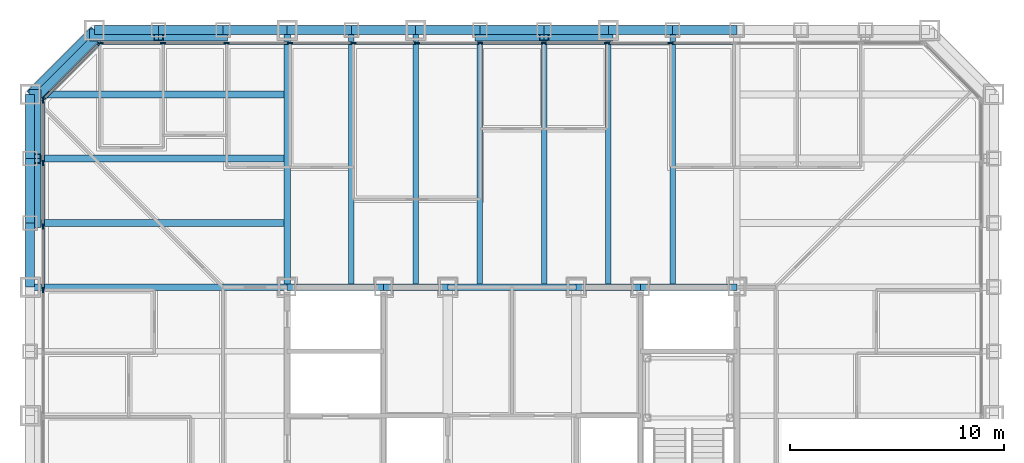
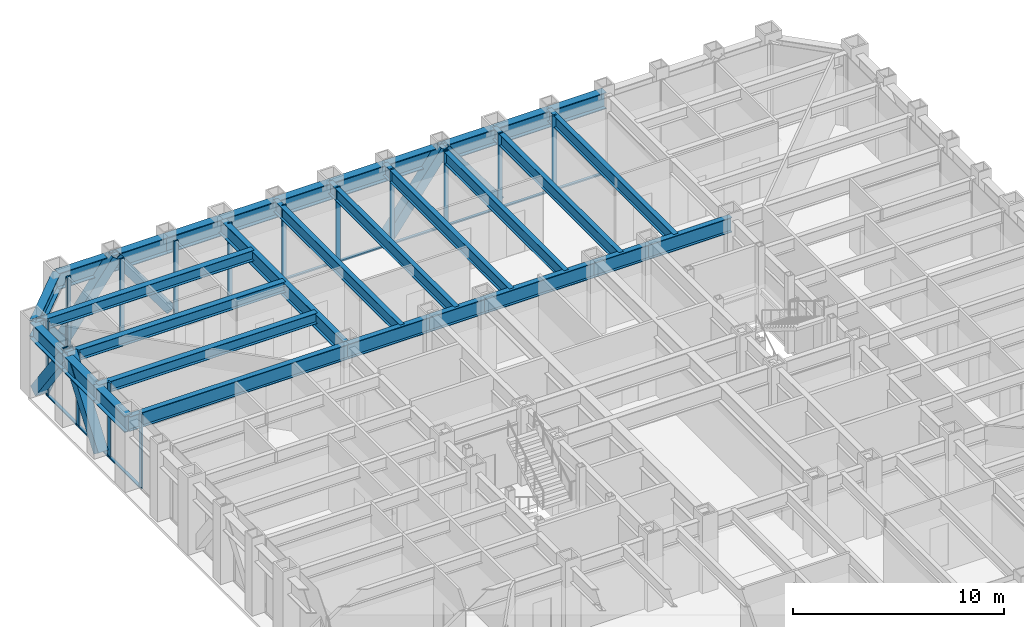
# One storey, part 5 of 17: 37 members, 30 beams, 3 elements without a shape of their own.
"""IFC4 building model written with IfcOpenShell, lengths in metres."""

import ifcopenshell
import ifcopenshell.guid

model = None  # the IFC model being written
_history = None  # IfcOwnerHistory: only IFC2X3 demands one
_inside = {}  # id of a spatial element -> (the spatial element, [elements in it])
_under = {}  # id of a project, library or spatial element -> (it, [spatial elements below it])
_declared = {}  # id of a project -> (the project, [libraries it declares])
_typed = {}  # id of a type object -> (the type object, [elements of that type])
_made_of = {}  # id of a material, layer set ... -> (it, [elements and type objects made of it])


def new_model(schema):
    """Start an empty IFC model of exactly this schema.

    Asked for "IFC4X3", IfcOpenShell would pick the latest addendum, in which some entities
    have other attributes; the version numbers below select the first issue.
    IFC2X3 requires an IfcOwnerHistory on every rooted entity: one is made here for all.
    """
    global model, _history
    if schema == "IFC4X3":
        model = ifcopenshell.file(schema_version=(4, 3, 0, 0))
    else:
        model = ifcopenshell.file(schema=schema)
    _inside.clear()
    _under.clear()
    _declared.clear()
    _typed.clear()
    _made_of.clear()
    _history = None
    if model.schema == "IFC2X3":
        org = make("IfcOrganization", Name="unknown")
        user = make(
            "IfcPersonAndOrganization",
            ThePerson=make("IfcPerson", FamilyName="unknown"),
            TheOrganization=org,
        )
        app = make(
            "IfcApplication",
            ApplicationDeveloper=org,
            Version="unknown",
            ApplicationFullName="unknown",
            ApplicationIdentifier="unknown",
        )
        _history = make(
            "IfcOwnerHistory",
            OwningUser=user,
            OwningApplication=app,
            ChangeAction="ADDED",
            CreationDate=0,
        )
    return model


def make(cls, **values):
    """One entity of the class cls with the attributes given. An attribute that is None is left unset."""
    return model.create_entity(
        cls, **{name: value for name, value in values.items() if value is not None}
    )


def rooted(cls, **values):
    """An entity with a GlobalId (a new one), such as an element, a storey or a relation."""
    return make(cls, GlobalId=ifcopenshell.guid.new(), OwnerHistory=_history, **values)


def si_unit(unit_type, name, prefix=None):
    """IfcSIUnit, for example si_unit("LENGTHUNIT", "METRE", prefix="MILLI")."""
    return make("IfcSIUnit", UnitType=unit_type, Prefix=prefix, Name=name)


def assignment(units):
    """IfcUnitAssignment: the units of a project."""
    return None if units is None else make("IfcUnitAssignment", Units=units)


def point(xyz):
    """IfcCartesianPoint."""
    return None if xyz is None else make("IfcCartesianPoint", Coordinates=xyz)


def direction(xyz):
    """IfcDirection."""
    return None if xyz is None else make("IfcDirection", DirectionRatios=xyz)


def frame(location, z_axis=None, x_axis=None):
    """IfcAxis2Placement3D, a coordinate frame: its origin and axes. An axis left out is left unset."""
    return make(
        "IfcAxis2Placement3D",
        Location=point(location),
        Axis=direction(z_axis),
        RefDirection=direction(x_axis),
    )


def frame_2d(location, x_axis=None):
    """IfcAxis2Placement2D, a coordinate frame in the plane: its origin and x axis."""
    return make(
        "IfcAxis2Placement2D", Location=point(location), RefDirection=direction(x_axis)
    )


def origin():
    """The frame at (0, 0, 0) with its axes left unset."""
    return frame((0.0, 0.0, 0.0))


def origin_2d():
    """The frame at (0, 0) in the plane with its x axis left unset."""
    return frame_2d((0.0, 0.0))


def place(relative_to, where):
    """IfcLocalPlacement: puts the frame where relative to a parent placement (None: the world)."""
    return make(
        "IfcLocalPlacement", PlacementRelTo=relative_to, RelativePlacement=where
    )


def context(
    kind, dimensions, precision=None, world=None, true_north=None, identifier=None
):
    """IfcGeometricRepresentationContext, for example the 3D "Model" context."""
    return make(
        "IfcGeometricRepresentationContext",
        ContextIdentifier=identifier,
        ContextType=kind,
        CoordinateSpaceDimension=dimensions,
        Precision=precision,
        WorldCoordinateSystem=world,
        TrueNorth=true_north,
    )


def subcontext(parent, identifier, kind, view, scale=None):
    """IfcGeometricRepresentationSubContext, for example "Body" below "Model"."""
    return make(
        "IfcGeometricRepresentationSubContext",
        ContextIdentifier=identifier,
        ContextType=kind,
        ParentContext=parent,
        TargetScale=scale,
        TargetView=view,
    )


def project(units=None, contexts=None):
    """IfcProject with its units and contexts."""
    return rooted(
        "IfcProject",
        Name="project",
        RepresentationContexts=contexts,
        UnitsInContext=assignment(units),
    )


def spatial(cls, under=None, at=None, **own):
    """A site, building, storey or space (cls), placed at a placement, below another one or the project."""
    s = rooted(cls, ObjectPlacement=at, **own)
    if under is not None:
        _under.setdefault(under.id(), (under, []))[1].append(s)
    return s


def profile(cls, at=None, kind="AREA", **sizes):
    """A parametric profile (cls). Its sizes go by their IFC names, for example OverallWidth=200.0."""
    return make(cls, ProfileType=kind, Position=at, **sizes)


def rectangle(**sizes):
    """IfcRectangleProfileDef."""
    return profile("IfcRectangleProfileDef", **sizes)


def hollow_rectangle(**sizes):
    """IfcRectangleHollowProfileDef."""
    return profile("IfcRectangleHollowProfileDef", **sizes)


def i_section(**sizes):
    """IfcIShapeProfileDef."""
    return profile("IfcIShapeProfileDef", **sizes)


def extrude(swept, where, along, depth):
    """IfcExtrudedAreaSolid: the profile swept, set in the frame where, extruded along a direction by depth."""
    return make(
        "IfcExtrudedAreaSolid",
        SweptArea=swept,
        Position=where,
        ExtrudedDirection=direction(along),
        Depth=depth,
    )


def shape(context_of_items, identifier, shape_type, items):
    """IfcShapeRepresentation: the items that make up one representation, for example the "Body"."""
    return make(
        "IfcShapeRepresentation",
        ContextOfItems=context_of_items,
        RepresentationIdentifier=identifier,
        RepresentationType=shape_type,
        Items=items,
    )


def material(Name=None, Category=None):
    """IfcMaterial."""
    return make("IfcMaterial", Name=Name, Category=Category)


def layer(
    of_material, thickness, ventilated=None, Name=None, Category=None, Priority=None
):
    """IfcMaterialLayer: one layer of a wall or slab, of a material (None: an air gap)."""
    return make(
        "IfcMaterialLayer",
        Material=of_material,
        LayerThickness=thickness,
        IsVentilated=ventilated,
        Name=Name,
        Category=Category,
        Priority=Priority,
    )


def layer_set(layers, Name=None):
    """IfcMaterialLayerSet."""
    return make("IfcMaterialLayerSet", MaterialLayers=layers, LayerSetName=Name)


def material_profile(
    of_material, cross_section, Name=None, Category=None, Priority=None
):
    """IfcMaterialProfile: a cross section and its material."""
    return make(
        "IfcMaterialProfile",
        Name=Name,
        Material=of_material,
        Profile=cross_section,
        Priority=Priority,
        Category=Category,
    )


def profile_set(profiles, Name=None, composite=None):
    """IfcMaterialProfileSet."""
    return make(
        "IfcMaterialProfileSet",
        Name=Name,
        MaterialProfiles=profiles,
        CompositeProfile=composite,
    )


def made_of(thing, what):
    """Note that an element or type object is made of a material, layer set ...; save() writes the relation."""
    if what is not None:
        _made_of.setdefault(what.id(), (what, []))[1].append(thing)
    return thing


def type_object(cls, material=None, **own):
    """A type object (cls), such as IfcWallType, which elements share."""
    return made_of(rooted(cls, **own), material)


def element(
    cls,
    number,
    at=None,
    inside=None,
    cuts=None,
    type_object=None,
    material=None,
    context=None,
    identifier="Body",
    shape_type=None,
    held_by="IfcProductDefinitionShape",
    body=None,
    shapes=None,
    **own,
):
    """One element of the class cls, such as IfcWall. Its Tag is "e" and its number.

    at: its placement. inside: the storey or other place that contains it. cuts: it is an
    opening in that element (IfcRelVoidsElement). A single representation is given by context,
    identifier, shape_type and body (its items); several are given by shapes. held_by: the class
    of the entity that holds the representations. save() writes the other relations.
    """
    e = rooted(cls, Tag="e%d" % number, ObjectPlacement=at, **own)
    if body is not None:
        shapes = [shape(context, identifier, shape_type, body)]
    if shapes is not None:
        e.Representation = make(held_by, Representations=shapes)
    if inside is not None:
        _inside.setdefault(inside.id(), (inside, []))[1].append(e)
    if cuts is not None:
        rooted(
            "IfcRelVoidsElement", RelatingBuildingElement=cuts, RelatedOpeningElement=e
        )
    if type_object is not None:
        _typed.setdefault(type_object.id(), (type_object, []))[1].append(e)
    return made_of(e, material)


def aggregate(whole, parts):
    """IfcRelAggregates: a whole, such as a stair, and the parts it consists of."""
    return rooted("IfcRelAggregates", RelatingObject=whole, RelatedObjects=parts)


def save(model, path):
    """Write the relations noted so far, then the file.

    IfcRelAggregates (storeys below a building ...), IfcRelContainedInSpatialStructure (elements
    in a storey), IfcRelDefinesByType, IfcRelAssociatesMaterial and IfcRelDeclares: one each for
    every whole, place, type object, material and project.
    """
    for whole, parts in _under.values():
        aggregate(whole, parts)
    for where, things in _inside.values():
        rooted(
            "IfcRelContainedInSpatialStructure",
            RelatedElements=things,
            RelatingStructure=where,
        )
    for kind, things in _typed.values():
        rooted("IfcRelDefinesByType", RelatedObjects=things, RelatingType=kind)
    for what, things in _made_of.values():
        rooted("IfcRelAssociatesMaterial", RelatedObjects=things, RelatingMaterial=what)
    for by, libraries in _declared.values():
        rooted("IfcRelDeclares", RelatingContext=by, RelatedDefinitions=libraries)
    model.write(path)


model = new_model("IFC4")

# Units and contexts
model_context = context("Model", 3, precision=1e-05, world=origin(), true_north=direction((0.0, 1.0)))
body_context = subcontext(model_context, "Body", "Model", "MODEL_VIEW")
ifc_project = project(units=[si_unit("LENGTHUNIT", "METRE"), si_unit("AREAUNIT", "SQUARE_METRE"), si_unit("VOLUMEUNIT", "CUBIC_METRE"), si_unit("PLANEANGLEUNIT", "RADIAN"), si_unit("MASSUNIT", "GRAM", prefix="KILO")], contexts=[model_context])

# Site, building, storey
site_placement = place(None, origin())
site = spatial("IfcSite", under=ifc_project, at=site_placement, CompositionType="ELEMENT")
building_placement = place(site_placement, origin())
building = spatial("IfcBuilding", under=site, at=building_placement, Name="Chuquiago Exchange Tower", CompositionType="ELEMENT")
storey_placement = place(building_placement, frame((0.0, 0.0, 37.800048828125)))
storey = spatial("IfcBuildingStorey", under=building, at=storey_placement, Name="L07", CompositionType="ELEMENT", Elevation=37.800048828125)

# Beams
ifc_material_1 = material(Name="Steel ASTM A992", Category="steel")
ifc_material_profile_1 = material_profile(ifc_material_1, i_section(OverallWidth=0.2919921875, OverallDepth=0.8583984375, WebThickness=0.01708984375, FlangeThickness=0.031005859375, at=origin_2d()), Name="W33X169")
ifc_profile_set_1 = profile_set([ifc_material_profile_1], Name="Steel ASTM A992")
beam_type_1 = type_object("IfcBeamType", Name="B3 W33X169", PredefinedType="BEAM", material=ifc_profile_set_1)
beam_1_placement = place(storey_placement, frame((12.0, 33.0, 3.610595703125), z_axis=(1.0, 0.0, 0.0), x_axis=(0.0, 1.0, 0.0)))
element("IfcBeam", 1, at=beam_1_placement, inside=storey, type_object=beam_type_1, Name="CB-L08-12_33-16.5_33", PredefinedType="BEAM", context=body_context, shape_type="SweptSolid", body=[
    extrude(i_section(OverallWidth=0.2919921875, OverallDepth=0.8583984375, WebThickness=0.01708984375, FlangeThickness=0.031005859375, at=origin_2d()), origin(), (0.0, 0.0, 1.0), 4.5),
])
beam_2_placement = place(storey_placement, frame((16.5, 33.0, 3.610595703125), z_axis=(1.0, 0.0, 0.0), x_axis=(0.0, 1.0, 0.0)))
element("IfcBeam", 2, at=beam_2_placement, inside=storey, type_object=beam_type_1, Name="CB-L08-16.5_33-19.5_33", PredefinedType="BEAM", context=body_context, shape_type="SweptSolid", body=[
    extrude(i_section(OverallWidth=0.2919921875, OverallDepth=0.8583984375, WebThickness=0.01708984375, FlangeThickness=0.031005859375, at=origin_2d()), origin(), (0.0, 0.0, 1.0), 3.0),
])
beam_3_placement = place(storey_placement, frame((19.5, 33.0, 3.610595703125), z_axis=(1.0, 0.0, 0.0), x_axis=(0.0, 1.0, 0.0)))
element("IfcBeam", 3, at=beam_3_placement, inside=storey, type_object=beam_type_1, Name="CB-L08-19.5_33-25.5_33", PredefinedType="BEAM", context=body_context, shape_type="SweptSolid", body=[
    extrude(i_section(OverallWidth=0.2919921875, OverallDepth=0.8583984375, WebThickness=0.01708984375, FlangeThickness=0.031005859375, at=origin_2d()), origin(), (0.0, 0.0, 1.0), 6.0),
])
beam_4_placement = place(storey_placement, frame((25.5, 33.0, 3.610595703125), z_axis=(1.0, 0.0, 0.0), x_axis=(0.0, 1.0, 0.0)))
element("IfcBeam", 4, at=beam_4_placement, inside=storey, type_object=beam_type_1, Name="CB-L08-25.5_33-28.5_33", PredefinedType="BEAM", context=body_context, shape_type="SweptSolid", body=[
    extrude(i_section(OverallWidth=0.2919921875, OverallDepth=0.8583984375, WebThickness=0.01708984375, FlangeThickness=0.031005859375, at=origin_2d()), origin(), (0.0, 0.0, 1.0), 3.0),
])
beam_5_placement = place(storey_placement, frame((28.5, 33.0, 3.610595703125), z_axis=(1.0, 0.0, 0.0), x_axis=(0.0, 1.0, 0.0)))
element("IfcBeam", 5, at=beam_5_placement, inside=storey, type_object=beam_type_1, Name="CB-L08-28.5_33-33_33", PredefinedType="BEAM", context=body_context, shape_type="SweptSolid", body=[
    extrude(i_section(OverallWidth=0.2919921875, OverallDepth=0.8583984375, WebThickness=0.01708984375, FlangeThickness=0.031005859375, at=origin_2d()), origin(), (0.0, 0.0, 1.0), 4.5),
])
ifc_material_2 = material(Name="Steel ASTM A992", Category="steel")
ifc_material_profile_2 = material_profile(ifc_material_2, i_section(OverallWidth=0.256591796875, OverallDepth=0.693359375, WebThickness=0.014404296875, FlangeThickness=0.023681640625, at=origin_2d()), Name="W27X114")
ifc_profile_set_2 = profile_set([ifc_material_profile_2], Name="Steel ASTM A992")
beam_type_2 = type_object("IfcBeamType", Name="B4 W27X114", PredefinedType="BEAM", material=ifc_profile_set_2)
for number, where, z_axis, x_axis, name in (
    (6, (15.0, 33.0, 3.693359375), (0.0, 1.0, 0.0), (-1.0, 0.0, 0.0), "FB-L08-infill-15_33-15_45-0"),
    (7, (18.0, 33.0, 3.693359375), (0.0, 1.0, 0.0), (-1.0, 0.0, 0.0), "FB-L08-infill-18_33-18_45-0"),
    (8, (21.0, 33.0, 3.693359375), (0.0, 1.0, 0.0), (-1.0, 0.0, 0.0), "FB-L08-infill-21_33-21_45-0"),
    (9, (24.0, 33.0, 3.693359375), (0.0, 1.0, 0.0), (-1.0, 0.0, 0.0), "FB-L08-infill-24_33-24_45-0"),
    (10, (27.0, 33.0, 3.693359375), (0.0, 1.0, 0.0), (-1.0, 0.0, 0.0), "FB-L08-infill-27_33-27_45-0"),
    (11, (30.0, 33.0, 3.693359375), (0.0, 1.0, 0.0), (-1.0, 0.0, 0.0), "FB-L08-infill-30_33-30_45-0"),
):
    element("IfcBeam", number, at=place(storey_placement, frame(where, z_axis=z_axis, x_axis=x_axis)), inside=storey, type_object=beam_type_2, Name=name, PredefinedType="BEAM", context=body_context, shape_type="SweptSolid", body=[
        extrude(i_section(OverallWidth=0.256591796875, OverallDepth=0.693359375, WebThickness=0.014404296875, FlangeThickness=0.023681640625, at=origin_2d()), origin(), (0.0, 0.0, 1.0), 12.0),
    ])
ifc_material_3 = material(Name="Steel ASTM A992", Category="steel")
ifc_material_profile_3 = material_profile(ifc_material_3, i_section(OverallWidth=0.3251953125, OverallDepth=0.6171875, WebThickness=0.013916015625, FlangeThickness=0.021484375, at=origin_2d()), Name="W24X117")
ifc_profile_set_3 = profile_set([ifc_material_profile_3], Name="Steel ASTM A992")
beam_type_3 = type_object("IfcBeamType", Name="B5 W24X117", PredefinedType="BEAM", material=ifc_profile_set_3)
for number, where, z_axis, x_axis, name in (
    (12, (12.0, 36.0, 3.7314453125), (-1.0, 0.0, 0.0), (0.0, -1.0, 0.0), "FB-L08-corner-12_36--0_36-0"),
    (13, (12.0, 39.0, 3.7314453125), (-1.0, 0.0, 0.0), (0.0, -1.0, 0.0), "FB-L08-corner-12_39--0_39-0"),
    (14, (12.0, 42.0, 3.7314453125), (-1.0, 0.0, 0.0), (0.0, -1.0, 0.0), "FB-L08-corner-12_42--0_42-0"),
):
    element("IfcBeam", number, at=place(storey_placement, frame(where, z_axis=z_axis, x_axis=x_axis)), inside=storey, type_object=beam_type_3, Name=name, PredefinedType="BEAM", context=body_context, shape_type="SweptSolid", body=[
        extrude(i_section(OverallWidth=0.3251953125, OverallDepth=0.6171875, WebThickness=0.013916015625, FlangeThickness=0.021484375, at=origin_2d()), origin(), (0.0, 0.0, 1.0), 12.0),
    ])

# Curtain wall, members
ifc_material_4 = material(Name="Aluminium curtain wall system", Category="aluminium")
ifc_layer_1 = layer(ifc_material_4, 0.25)
ifc_layer_set_1 = layer_set([ifc_layer_1], Name="CW1 trading floor curtain wall")
curtain_wall_type_1 = type_object("IfcCurtainWallType", Name="CW1 trading floor curtain wall", PredefinedType="NOTDEFINED", material=ifc_layer_set_1)
curtain_wall_1_placement = place(storey_placement, origin())
curtain_wall_1 = element("IfcCurtainWall", 15, at=curtain_wall_1_placement, inside=storey, type_object=curtain_wall_type_1, Name="CW1 curtain wall L07", PredefinedType="NOTDEFINED")
ifc_material_5 = material(Name="Aluminium mullion, pale anodised", Category="aluminium")
ifc_material_profile_4 = material_profile(ifc_material_5, rectangle(XDim=0.074951171875, YDim=0.25, at=origin_2d()), Name="AL 75x250")
ifc_profile_set_4 = profile_set([ifc_material_profile_4], Name="Aluminium mullion, pale anodised")
member_type_1 = type_object("IfcMemberType", Name="CW1-M mullion 75x250", PredefinedType="MULLION", material=ifc_profile_set_4)
member_1_placement = place(storey_placement, frame((29.904541015625, 44.39990234375, -0.300048828125), z_axis=(0.0, 0.0, 1.0), x_axis=(0.0, -1.0, 0.0)))
member_1 = element("IfcMember", 16, at=member_1_placement, type_object=member_type_1, Name="CW1 mullion 5", PredefinedType="MULLION", context=body_context, shape_type="SweptSolid", body=[
    extrude(rectangle(XDim=0.074951171875, YDim=0.25, at=origin_2d()), origin(), (0.0, 0.0, 1.0), 4.340087890625),
])
member_2_placement = place(storey_placement, frame((26.942626953125, 44.39990234375, -0.300048828125), z_axis=(0.0, 0.0, 1.0), x_axis=(0.0, -1.0, 0.0)))
member_2 = element("IfcMember", 17, at=member_2_placement, type_object=member_type_1, Name="CW1 mullion 6", PredefinedType="MULLION", context=body_context, shape_type="SweptSolid", body=[
    extrude(rectangle(XDim=0.074951171875, YDim=0.25, at=origin_2d()), origin(), (0.0, 0.0, 1.0), 4.340087890625),
])
member_3_placement = place(storey_placement, frame((23.98095703125, 44.39990234375, -0.300048828125), z_axis=(0.0, 0.0, 1.0), x_axis=(0.0, -1.0, 0.0)))
member_3 = element("IfcMember", 18, at=member_3_placement, type_object=member_type_1, Name="CW1 mullion 7", PredefinedType="MULLION", context=body_context, shape_type="SweptSolid", body=[
    extrude(rectangle(XDim=0.074951171875, YDim=0.25, at=origin_2d()), origin(), (0.0, 0.0, 1.0), 4.340087890625),
])
member_4_placement = place(storey_placement, frame((21.01904296875, 44.39990234375, -0.300048828125), z_axis=(0.0, 0.0, 1.0), x_axis=(0.0, -1.0, 0.0)))
member_4 = element("IfcMember", 19, at=member_4_placement, type_object=member_type_1, Name="CW1 mullion 8", PredefinedType="MULLION", context=body_context, shape_type="SweptSolid", body=[
    extrude(rectangle(XDim=0.074951171875, YDim=0.25, at=origin_2d()), origin(), (0.0, 0.0, 1.0), 4.340087890625),
])
member_5_placement = place(storey_placement, frame((18.057373046875, 44.39990234375, -0.300048828125), z_axis=(0.0, 0.0, 1.0), x_axis=(0.0, -1.0, 0.0)))
member_5 = element("IfcMember", 20, at=member_5_placement, type_object=member_type_1, Name="CW1 mullion 9", PredefinedType="MULLION", context=body_context, shape_type="SweptSolid", body=[
    extrude(rectangle(XDim=0.074951171875, YDim=0.25, at=origin_2d()), origin(), (0.0, 0.0, 1.0), 4.340087890625),
])
member_6_placement = place(storey_placement, frame((15.095458984375, 44.39990234375, -0.300048828125), z_axis=(0.0, 0.0, 1.0), x_axis=(0.0, -1.0, 0.0)))
member_6 = element("IfcMember", 21, at=member_6_placement, type_object=member_type_1, Name="CW1 mullion 10", PredefinedType="MULLION", context=body_context, shape_type="SweptSolid", body=[
    extrude(rectangle(XDim=0.074951171875, YDim=0.25, at=origin_2d()), origin(), (0.0, 0.0, 1.0), 4.340087890625),
])
member_7_placement = place(storey_placement, frame((12.1337890625, 44.39990234375, -0.300048828125), z_axis=(0.0, 0.0, 1.0), x_axis=(0.0, -1.0, 0.0)))
member_7 = element("IfcMember", 22, at=member_7_placement, type_object=member_type_1, Name="CW1 mullion 11", PredefinedType="MULLION", context=body_context, shape_type="SweptSolid", body=[
    extrude(rectangle(XDim=0.074951171875, YDim=0.25, at=origin_2d()), origin(), (0.0, 0.0, 1.0), 4.340087890625),
])
member_8_placement = place(storey_placement, frame((9.172119140625, 44.39990234375, -0.300048828125), z_axis=(0.0, 0.0, 1.0), x_axis=(0.0, -1.0, 0.0)))
member_8 = element("IfcMember", 23, at=member_8_placement, type_object=member_type_1, Name="CW1 mullion 12", PredefinedType="MULLION", context=body_context, shape_type="SweptSolid", body=[
    extrude(rectangle(XDim=0.074951171875, YDim=0.25, at=origin_2d()), origin(), (0.0, 0.0, 1.0), 4.340087890625),
])
member_9_placement = place(storey_placement, frame((6.210205078125, 44.39990234375, -0.300048828125), z_axis=(0.0, 0.0, 1.0), x_axis=(0.0, -1.0, 0.0)))
member_9 = element("IfcMember", 24, at=member_9_placement, type_object=member_type_1, Name="CW1 mullion 13", PredefinedType="MULLION", context=body_context, shape_type="SweptSolid", body=[
    extrude(rectangle(XDim=0.074951171875, YDim=0.25, at=origin_2d()), origin(), (0.0, 0.0, 1.0), 4.340087890625),
])
member_10_placement = place(storey_placement, frame((3.285888671875, 44.39990234375, -0.300048828125), z_axis=(0.0, 0.0, 1.0), x_axis=(0.0, -1.0, 0.0)))
member_10 = element("IfcMember", 25, at=member_10_placement, type_object=member_type_1, Name="CW1 mullion 14", PredefinedType="MULLION", context=body_context, shape_type="SweptSolid", body=[
    extrude(rectangle(XDim=0.074951171875, YDim=0.25, at=origin_2d()), origin(), (0.0, 0.0, 1.0), 4.340087890625),
])

curtain_wall_2_placement = place(storey_placement, origin())
curtain_wall_2 = element("IfcCurtainWall", 26, at=curtain_wall_2_placement, inside=storey, type_object=curtain_wall_type_1, Name="CW1 curtain wall L07", PredefinedType="NOTDEFINED")
member_11_placement = place(storey_placement, frame((0.60009765625, 41.714111328125, -0.300048828125), z_axis=(0.0, 0.0, 1.0), x_axis=(1.0, 0.0, 0.0)))
member_11 = element("IfcMember", 27, at=member_11_placement, type_object=member_type_1, Name="CW1 mullion 1", PredefinedType="MULLION", context=body_context, shape_type="SweptSolid", body=[
    extrude(rectangle(XDim=0.074951171875, YDim=0.25, at=origin_2d()), origin(), (0.0, 0.0, 1.0), 4.340087890625),
])
member_12_placement = place(storey_placement, frame((0.60009765625, 38.789794921875, -0.300048828125), z_axis=(0.0, 0.0, 1.0), x_axis=(1.0, 0.0, 0.0)))
member_12 = element("IfcMember", 28, at=member_12_placement, type_object=member_type_1, Name="CW1 mullion 2", PredefinedType="MULLION", context=body_context, shape_type="SweptSolid", body=[
    extrude(rectangle(XDim=0.074951171875, YDim=0.25, at=origin_2d()), origin(), (0.0, 0.0, 1.0), 4.340087890625),
])
member_13_placement = place(storey_placement, frame((0.60009765625, 35.827880859375, -0.300048828125), z_axis=(0.0, 0.0, 1.0), x_axis=(1.0, 0.0, 0.0)))
member_13 = element("IfcMember", 29, at=member_13_placement, type_object=member_type_1, Name="CW1 mullion 3", PredefinedType="MULLION", context=body_context, shape_type="SweptSolid", body=[
    extrude(rectangle(XDim=0.074951171875, YDim=0.25, at=origin_2d()), origin(), (0.0, 0.0, 1.0), 4.340087890625),
])
member_14_placement = place(storey_placement, frame((0.60009765625, 32.8662109375, -0.300048828125), z_axis=(0.0, 0.0, 1.0), x_axis=(1.0, 0.0, 0.0)))
member_14 = element("IfcMember", 30, at=member_14_placement, type_object=member_type_1, Name="CW1 mullion 4", PredefinedType="MULLION", context=body_context, shape_type="SweptSolid", body=[
    extrude(rectangle(XDim=0.074951171875, YDim=0.25, at=origin_2d()), origin(), (0.0, 0.0, 1.0), 4.340087890625),
])

# Member
ifc_material_6 = material(Name="Aluminium transom, pale anodised", Category="aluminium")
ifc_material_profile_5 = material_profile(ifc_material_6, rectangle(XDim=0.14990234375, YDim=0.074951171875, at=origin_2d()), Name="AL 150x75")
ifc_profile_set_5 = profile_set([ifc_material_profile_5], Name="Aluminium transom, pale anodised")
member_type_2 = type_object("IfcMemberType", Name="CW1-T transom 75x150", PredefinedType="MULLION", material=ifc_profile_set_5)
member_15_placement = place(storey_placement, frame((32.82861328125, 44.39990234375, -0.262451171875), z_axis=(-1.0, 0.0, 0.0), x_axis=(0.0, -1.0, 0.0)))
member_15 = element("IfcMember", 31, at=member_15_placement, type_object=member_type_2, Name="CW1 transom 4.1", PredefinedType="MULLION", context=body_context, shape_type="SweptSolid", body=[
    extrude(rectangle(XDim=0.14990234375, YDim=0.074951171875, at=origin_2d()), origin(), (0.0, 0.0, 1.0), 2.88671875),
])

member_16_placement = place(storey_placement, frame((29.866943359375, 44.39990234375, -0.262451171875), z_axis=(-1.0, 0.0, 0.0), x_axis=(0.0, -1.0, 0.0)))
member_16 = element("IfcMember", 32, at=member_16_placement, type_object=member_type_2, Name="CW1 transom 5.1", PredefinedType="MULLION", context=body_context, shape_type="SweptSolid", body=[
    extrude(rectangle(XDim=0.14990234375, YDim=0.074951171875, at=origin_2d()), origin(), (0.0, 0.0, 1.0), 2.88671875),
])

member_17_placement = place(storey_placement, frame((26.9052734375, 44.39990234375, -0.262451171875), z_axis=(-1.0, 0.0, 0.0), x_axis=(0.0, -1.0, 0.0)))
member_17 = element("IfcMember", 33, at=member_17_placement, type_object=member_type_2, Name="CW1 transom 6.1", PredefinedType="MULLION", context=body_context, shape_type="SweptSolid", body=[
    extrude(rectangle(XDim=0.14990234375, YDim=0.074951171875, at=origin_2d()), origin(), (0.0, 0.0, 1.0), 2.886962890625),
])

member_18_placement = place(storey_placement, frame((23.943359375, 44.39990234375, -0.262451171875), z_axis=(-1.0, 0.0, 0.0), x_axis=(0.0, -1.0, 0.0)))
member_18 = element("IfcMember", 34, at=member_18_placement, type_object=member_type_2, Name="CW1 transom 7.1", PredefinedType="MULLION", context=body_context, shape_type="SweptSolid", body=[
    extrude(rectangle(XDim=0.14990234375, YDim=0.074951171875, at=origin_2d()), origin(), (0.0, 0.0, 1.0), 2.88671875),
])

member_19_placement = place(storey_placement, frame((20.981689453125, 44.39990234375, -0.262451171875), z_axis=(-1.0, 0.0, 0.0), x_axis=(0.0, -1.0, 0.0)))
member_19 = element("IfcMember", 35, at=member_19_placement, type_object=member_type_2, Name="CW1 transom 8.1", PredefinedType="MULLION", context=body_context, shape_type="SweptSolid", body=[
    extrude(rectangle(XDim=0.14990234375, YDim=0.074951171875, at=origin_2d()), origin(), (0.0, 0.0, 1.0), 2.886962890625),
])

member_20_placement = place(storey_placement, frame((18.019775390625, 44.39990234375, -0.262451171875), z_axis=(-1.0, 0.0, 0.0), x_axis=(0.0, -1.0, 0.0)))
member_20 = element("IfcMember", 36, at=member_20_placement, type_object=member_type_2, Name="CW1 transom 9.1", PredefinedType="MULLION", context=body_context, shape_type="SweptSolid", body=[
    extrude(rectangle(XDim=0.14990234375, YDim=0.074951171875, at=origin_2d()), origin(), (0.0, 0.0, 1.0), 2.88671875),
])

member_21_placement = place(storey_placement, frame((15.05810546875, 44.39990234375, -0.262451171875), z_axis=(-1.0, 0.0, 0.0), x_axis=(0.0, -1.0, 0.0)))
member_21 = element("IfcMember", 37, at=member_21_placement, type_object=member_type_2, Name="CW1 transom 10.1", PredefinedType="MULLION", context=body_context, shape_type="SweptSolid", body=[
    extrude(rectangle(XDim=0.14990234375, YDim=0.074951171875, at=origin_2d()), origin(), (0.0, 0.0, 1.0), 2.88671875),
])

member_22_placement = place(storey_placement, frame((12.09619140625, 44.39990234375, -0.262451171875), z_axis=(-1.0, 0.0, 0.0), x_axis=(0.0, -1.0, 0.0)))
member_22 = element("IfcMember", 38, at=member_22_placement, type_object=member_type_2, Name="CW1 transom 11.1", PredefinedType="MULLION", context=body_context, shape_type="SweptSolid", body=[
    extrude(rectangle(XDim=0.14990234375, YDim=0.074951171875, at=origin_2d()), origin(), (0.0, 0.0, 1.0), 2.88671875),
])

member_23_placement = place(storey_placement, frame((9.134521484375, 44.39990234375, -0.262451171875), z_axis=(-1.0, 0.0, 0.0), x_axis=(0.0, -1.0, 0.0)))
member_23 = element("IfcMember", 39, at=member_23_placement, type_object=member_type_2, Name="CW1 transom 12.1", PredefinedType="MULLION", context=body_context, shape_type="SweptSolid", body=[
    extrude(rectangle(XDim=0.14990234375, YDim=0.074951171875, at=origin_2d()), origin(), (0.0, 0.0, 1.0), 2.88671875),
])

member_24_placement = place(storey_placement, frame((6.1728515625, 44.39990234375, -0.262451171875), z_axis=(-1.0, 0.0, 0.0), x_axis=(0.0, -1.0, 0.0)))
member_24 = element("IfcMember", 40, at=member_24_placement, type_object=member_type_2, Name="CW1 transom 13.1", PredefinedType="MULLION", context=body_context, shape_type="SweptSolid", body=[
    extrude(rectangle(XDim=0.14990234375, YDim=0.074951171875, at=origin_2d()), origin(), (0.0, 0.0, 1.0), 2.849365234375),
])

aggregate(curtain_wall_1, [member_1, member_2, member_3, member_4, member_5, member_6, member_7, member_8, member_9, member_10, member_15, member_16, member_17, member_18, member_19, member_20, member_21, member_22, member_23, member_24])

member_25_placement = place(storey_placement, frame((0.60009765625, 41.676513671875, -0.262451171875), z_axis=(0.0, -1.0, 0.0), x_axis=(1.0, 0.0, 0.0)))
member_25 = element("IfcMember", 41, at=member_25_placement, type_object=member_type_2, Name="CW1 transom 1.1", PredefinedType="MULLION", context=body_context, shape_type="SweptSolid", body=[
    extrude(rectangle(XDim=0.14990234375, YDim=0.074951171875, at=origin_2d()), origin(), (0.0, 0.0, 1.0), 2.849365234375),
])

member_26_placement = place(storey_placement, frame((0.60009765625, 38.752197265625, -0.262451171875), z_axis=(0.0, -1.0, 0.0), x_axis=(1.0, 0.0, 0.0)))
member_26 = element("IfcMember", 42, at=member_26_placement, type_object=member_type_2, Name="CW1 transom 2.1", PredefinedType="MULLION", context=body_context, shape_type="SweptSolid", body=[
    extrude(rectangle(XDim=0.14990234375, YDim=0.074951171875, at=origin_2d()), origin(), (0.0, 0.0, 1.0), 2.88671875),
])

member_27_placement = place(storey_placement, frame((0.60009765625, 35.79052734375, -0.262451171875), z_axis=(0.0, -1.0, 0.0), x_axis=(1.0, 0.0, 0.0)))
member_27 = element("IfcMember", 43, at=member_27_placement, type_object=member_type_2, Name="CW1 transom 3.1", PredefinedType="MULLION", context=body_context, shape_type="SweptSolid", body=[
    extrude(rectangle(XDim=0.14990234375, YDim=0.074951171875, at=origin_2d()), origin(), (0.0, 0.0, 1.0), 2.88671875),
])

aggregate(curtain_wall_2, [member_11, member_12, member_13, member_14, member_25, member_26, member_27])

# Curtain wall, members
ifc_material_7 = material(Name="Aluminium curtain wall system", Category="aluminium")
ifc_layer_2 = layer(ifc_material_7, 0.199951171875)
ifc_layer_set_2 = layer_set([ifc_layer_2], Name="CW3 facet curtain wall")
curtain_wall_type_2 = type_object("IfcCurtainWallType", Name="CW3 facet curtain wall", PredefinedType="NOTDEFINED", material=ifc_layer_set_2)
curtain_wall_3_placement = place(storey_placement, origin())
curtain_wall_3 = element("IfcCurtainWall", 44, at=curtain_wall_3_placement, inside=storey, type_object=curtain_wall_type_2, Name="CW3 curtain wall L07", PredefinedType="NOTDEFINED")
ifc_material_8 = material(Name="Aluminium mullion, pale anodised", Category="aluminium")
ifc_material_profile_6 = material_profile(ifc_material_8, rectangle(XDim=0.06494140625, YDim=0.199951171875, at=origin_2d()), Name="AL 65x200")
ifc_profile_set_6 = profile_set([ifc_material_profile_6], Name="Aluminium mullion, pale anodised")
member_type_3 = type_object("IfcMemberType", Name="CW3-M mullion 65x200", PredefinedType="MULLION", material=ifc_profile_set_6)
member_28_placement = place(storey_placement, frame((3.2255859375, 44.376953125, -0.300048828125), z_axis=(0.0, 0.0, 1.0), x_axis=(0.707106781187, -0.707106781187, 0.0)))
member_28 = element("IfcMember", 45, at=member_28_placement, type_object=member_type_3, Name="CW3 mullion 1", PredefinedType="MULLION", context=body_context, shape_type="SweptSolid", body=[
    extrude(rectangle(XDim=0.06494140625, YDim=0.199951171875, at=origin_2d()), origin(), (0.0, 0.0, 1.0), 4.340087890625),
])
member_29_placement = place(storey_placement, frame((0.623046875, 41.7744140625, -0.300048828125), z_axis=(0.0, 0.0, 1.0), x_axis=(0.707106781187, -0.707106781187, 0.0)))
member_29 = element("IfcMember", 46, at=member_29_placement, type_object=member_type_3, Name="CW3 mullion 2", PredefinedType="MULLION", context=body_context, shape_type="SweptSolid", body=[
    extrude(rectangle(XDim=0.06494140625, YDim=0.199951171875, at=origin_2d()), origin(), (0.0, 0.0, 1.0), 4.340087890625),
])
ifc_material_9 = material(Name="Aluminium transom, pale anodised", Category="aluminium")
ifc_material_profile_7 = material_profile(ifc_material_9, rectangle(XDim=0.139892578125, YDim=0.06494140625, at=origin_2d()), Name="AL 140x65")
ifc_profile_set_7 = profile_set([ifc_material_profile_7], Name="Aluminium transom, pale anodised")
member_type_4 = type_object("IfcMemberType", Name="CW3-T transom 65x140", PredefinedType="MULLION", material=ifc_profile_set_7)
member_30_placement = place(storey_placement, frame((3.20263671875, 44.35400390625, -0.267578125), z_axis=(-0.707106781187, -0.707106781187, 0.0), x_axis=(0.707106781187, -0.707106781187, 0.0)))
member_30 = element("IfcMember", 47, at=member_30_placement, type_object=member_type_4, Name="CW3 transom 1.1", PredefinedType="MULLION", context=body_context, shape_type="SweptSolid", body=[
    extrude(rectangle(XDim=0.139892578125, YDim=0.06494140625, at=origin_2d()), origin(), (0.0, 0.0, 1.0), 3.61572265625),
])
aggregate(curtain_wall_3, [member_28, member_29, member_30])

# Beams
ifc_material_10 = material(Name="Steel ASTM A992", Category="steel")
ifc_material_profile_8 = material_profile(ifc_material_10, i_section(OverallWidth=0.2919921875, OverallDepth=0.8583984375, WebThickness=0.01708984375, FlangeThickness=0.031005859375, at=origin_2d()), Name="W33X169")
ifc_profile_set_8 = profile_set([ifc_material_profile_8], Name="Steel ASTM A992")
beam_type_4 = type_object("IfcBeamType", Name="G2 W33X169", PredefinedType="BEAM", material=ifc_profile_set_8)
for number, where, z_axis, x_axis, name in (
    (48, (12.0, 33.0, 3.610595703125), (0.0, 1.0, 0.0), (-1.0, 0.0, 0.0), "FB-L08-girder-12_33-12_45-0"),
    (49, (12.0, 33.0, 3.610595703125), (-1.0, 0.0, 0.0), (0.0, -1.0, 0.0), "FB-L08-girder-12_33--0_33-0"),
):
    element("IfcBeam", number, at=place(storey_placement, frame(where, z_axis=z_axis, x_axis=x_axis)), inside=storey, type_object=beam_type_4, Name=name, PredefinedType="BEAM", context=body_context, shape_type="SweptSolid", body=[
        extrude(i_section(OverallWidth=0.2919921875, OverallDepth=0.8583984375, WebThickness=0.01708984375, FlangeThickness=0.031005859375, at=origin_2d()), origin(), (0.0, 0.0, 1.0), 12.0),
    ])

# Members
ifc_material_11 = material(Name="Steel ASTM A500 Grade C", Category="steel")
ifc_material_profile_9 = material_profile(ifc_material_11, hollow_rectangle(XDim=0.406494140625, YDim=0.406494140625, WallThickness=0.0146484375, at=origin_2d()), Name="HSS16X16X5/8")
ifc_profile_set_9 = profile_set([ifc_material_profile_9], Name="Steel ASTM A500 Grade C")
member_type_5 = type_object("IfcMemberType", Name="LB4 HSS16X16X5/8", PredefinedType="BRACE", material=ifc_profile_set_9)
member_31_placement = place(storey_placement, frame((3.21337890625, 44.78662109375, 0.0), z_axis=(-0.512077265487, -0.512077265487, 0.689604051861), x_axis=(0.707106781187, -0.707106781187, 0.0)))
element("IfcMember", 50, at=member_31_placement, inside=storey, type_object=member_type_5, Name="LB-L07-3_45-0_42", PredefinedType="BRACE", context=body_context, shape_type="SweptSolid", body=[
    extrude(hollow_rectangle(XDim=0.406494140625, YDim=0.406494140625, WallThickness=0.0146484375, at=origin_2d()), origin(), (0.0, 0.0, 1.0), 5.8583984375),
])
ifc_material_12 = material(Name="Steel ASTM A572 Grade 50", Category="steel")
ifc_material_profile_10 = material_profile(ifc_material_12, hollow_rectangle(XDim=0.550048828125, YDim=0.550048828125, WallThickness=0.044921875, at=origin_2d()), Name="BOX550X550X45")
ifc_profile_set_10 = profile_set([ifc_material_profile_10], Name="Steel ASTM A572 Grade 50")
member_type_6 = type_object("IfcMemberType", Name="MB1 BOX550X550X45", PredefinedType="BRACE", material=ifc_profile_set_10)
for number, where, z_axis, x_axis, name in (
    (51, (27.0, 44.77001953125, 0.0), (-0.596173923302, 0.0, 0.802855312728), (0.0, -1.0, 0.0), "Mega diagonal L07 N face"),
    (52, (21.0, 44.77001953125, 0.0), (0.596173923302, 0.0, 0.802855312728), (0.0, 1.0, 0.0), "Mega diagonal L07 N face"),
    (53, (9.0, 44.77001953125, 0.0), (-0.596173923302, 0.0, 0.802855312728), (0.0, -1.0, 0.0), "Mega diagonal L07 N face"),
    (54, (3.0, 44.77001953125, 0.0), (0.596173923302, 0.0, 0.802855312728), (0.0, 1.0, 0.0), "Mega diagonal L07 N face"),
    (55, (0.22998046875, 42.0, 0.0), (0.0, -0.596173923302, 0.802855312728), (1.0, 0.0, 0.0), "Mega diagonal L07 W face"),
    (56, (0.22998046875, 36.0, 0.0), (0.0, 0.596173923302, 0.802855312728), (-1.0, 0.0, 0.0), "Mega diagonal L07 W face"),
):
    element("IfcMember", number, at=place(storey_placement, frame(where, z_axis=z_axis, x_axis=x_axis)), inside=storey, type_object=member_type_6, Name=name, PredefinedType="BRACE", context=body_context, shape_type="SweptSolid", body=[
        extrude(hollow_rectangle(XDim=0.550048828125, YDim=0.550048828125, WallThickness=0.044921875, at=origin_2d()), origin(), (0.0, 0.0, 1.0), 5.031982421875),
    ])

# Beams
ifc_material_13 = material(Name="Steel ASTM A992", Category="steel")
ifc_material_profile_11 = material_profile(ifc_material_13, i_section(OverallWidth=0.424072265625, OverallDepth=0.947509765625, WebThickness=0.02392578125, FlangeThickness=0.042724609375, at=origin_2d()), Name="W36X302")
ifc_profile_set_11 = profile_set([ifc_material_profile_11], Name="Steel ASTM A992")
beam_type_5 = type_object("IfcBeamType", Name="SP1 W36X302", PredefinedType="SPANDREL", material=ifc_profile_set_11)
for number, where, z_axis, x_axis, name in (
    (57, (33.0, 45.0, 3.566162109375), (-1.0, 0.0, 0.0), (0.0, -1.0, 0.0), "SPB-L08-33_45-30_45"),
    (58, (30.0, 45.0, 3.566162109375), (-1.0, 0.0, 0.0), (0.0, -1.0, 0.0), "SPB-L08-30_45-27_45"),
    (59, (27.0, 45.0, 3.566162109375), (-1.0, 0.0, 0.0), (0.0, -1.0, 0.0), "SPB-L08-27_45-24_45"),
    (60, (24.0, 45.0, 3.566162109375), (-1.0, 0.0, 0.0), (0.0, -1.0, 0.0), "SPB-L08-24_45-21_45"),
    (61, (21.0, 45.0, 3.566162109375), (-1.0, 0.0, 0.0), (0.0, -1.0, 0.0), "SPB-L08-21_45-18_45"),
    (62, (18.0, 45.0, 3.566162109375), (-1.0, 0.0, 0.0), (0.0, -1.0, 0.0), "SPB-L08-18_45-15_45"),
    (63, (15.0, 45.0, 3.566162109375), (-1.0, 0.0, 0.0), (0.0, -1.0, 0.0), "SPB-L08-15_45-12_45"),
    (64, (12.0, 45.0, 3.566162109375), (-1.0, 0.0, 0.0), (0.0, -1.0, 0.0), "SPB-L08-12_45-9_45"),
    (65, (9.0, 45.0, 3.566162109375), (-1.0, 0.0, 0.0), (0.0, -1.0, 0.0), "SPB-L08-9_45-6_45"),
    (66, (6.0, 45.0, 3.566162109375), (-1.0, 0.0, 0.0), (0.0, -1.0, 0.0), "SPB-L08-6_45-3_45"),
):
    element("IfcBeam", number, at=place(storey_placement, frame(where, z_axis=z_axis, x_axis=x_axis)), inside=storey, type_object=beam_type_5, Name=name, PredefinedType="SPANDREL", context=body_context, shape_type="SweptSolid", body=[
        extrude(i_section(OverallWidth=0.424072265625, OverallDepth=0.947509765625, WebThickness=0.02392578125, FlangeThickness=0.042724609375, at=origin_2d()), origin(), (0.0, 0.0, 1.0), 3.0),
    ])
beam_6_placement = place(storey_placement, frame((3.0, 45.0, 3.566162109375), z_axis=(-0.707106781187, -0.707106781187, 0.0), x_axis=(0.707106781187, -0.707106781187, 0.0)))
element("IfcBeam", 67, at=beam_6_placement, inside=storey, type_object=beam_type_5, Name="SPB-L08-3_45-0_42", PredefinedType="SPANDREL", context=body_context, shape_type="SweptSolid", body=[
    extrude(i_section(OverallWidth=0.424072265625, OverallDepth=0.947509765625, WebThickness=0.02392578125, FlangeThickness=0.042724609375, at=origin_2d()), origin(), (0.0, 0.0, 1.0), 4.24267578125),
])
for number, where, z_axis, x_axis, name in (
    (68, (0.0, 42.0, 3.566162109375), (0.0, -1.0, 0.0), (1.0, 0.0, 0.0), "SPB-L08-0_42-0_39"),
    (69, (0.0, 39.0, 3.566162109375), (0.0, -1.0, 0.0), (1.0, 0.0, 0.0), "SPB-L08-0_39-0_36"),
    (70, (0.0, 36.0, 3.566162109375), (0.0, -1.0, 0.0), (1.0, 0.0, 0.0), "SPB-L08-0_36-0_33"),
):
    element("IfcBeam", number, at=place(storey_placement, frame(where, z_axis=z_axis, x_axis=x_axis)), inside=storey, type_object=beam_type_5, Name=name, PredefinedType="SPANDREL", context=body_context, shape_type="SweptSolid", body=[
        extrude(i_section(OverallWidth=0.424072265625, OverallDepth=0.947509765625, WebThickness=0.02392578125, FlangeThickness=0.042724609375, at=origin_2d()), origin(), (0.0, 0.0, 1.0), 3.0),
    ])

save(model, "model.ifc")
